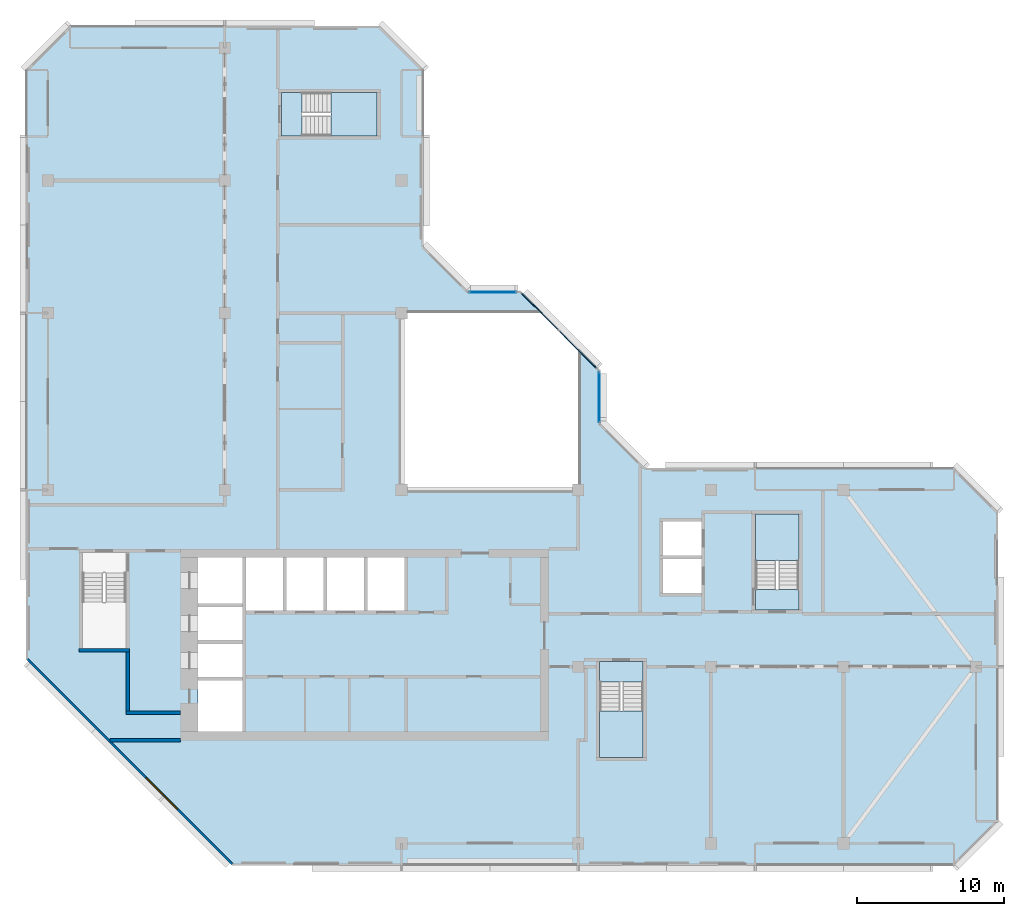
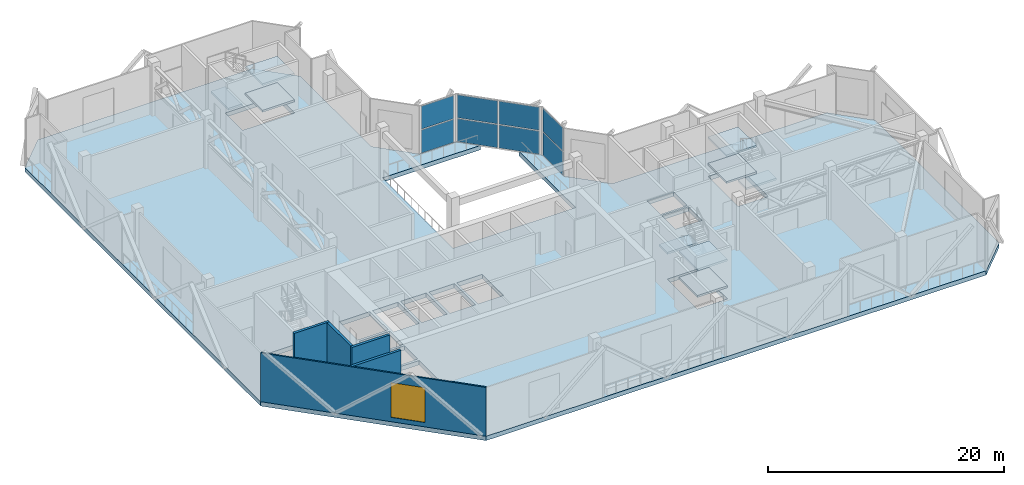
# One storey, part 4 of 13: 10 slabs, 8 plates, 5 walls, 1 window, 1 opening, 6 elements without a shape of their own.
"""IFC4 building model written with IfcOpenShell, lengths in metres."""

from ifc_helpers import new_model, si_unit, direction, frame, frame_2d, origin, origin_2d, place, context, subcontext, project, spatial, polyline, rectangle, outline, extrude, material, layer, layer_set, type_object, element, fill, aggregate, save


model = new_model("IFC4")

# Units and contexts
model_context = context("Model", 3, precision=1e-05, world=origin(), true_north=direction((0.0, 1.0)))
body_context = subcontext(model_context, "Body", "Model", "MODEL_VIEW")
ifc_project = project(units=[si_unit("LENGTHUNIT", "METRE"), si_unit("AREAUNIT", "SQUARE_METRE"), si_unit("VOLUMEUNIT", "CUBIC_METRE"), si_unit("PLANEANGLEUNIT", "RADIAN"), si_unit("MASSUNIT", "GRAM", prefix="KILO")], contexts=[model_context])

# Site, building, storey
site_placement = place(None, origin())
site = spatial("IfcSite", under=ifc_project, at=site_placement, CompositionType="ELEMENT")
building_placement = place(site_placement, origin())
building = spatial("IfcBuilding", under=site, at=building_placement, Name="Chenar Terraces", CompositionType="ELEMENT")
storey_placement = place(building_placement, frame((0.0, 0.0, 322.14990234375)))
storey = spatial("IfcBuildingStorey", under=building, at=storey_placement, Name="L76", CompositionType="ELEMENT", Elevation=322.14990234375)

# Curtain wall, plates
ifc_material_1 = material(Name="Aluminium framed glazing", Category="aluminium")
ifc_layer_1 = layer(ifc_material_1, 0.14990234375)
ifc_layer_set_1 = layer_set([ifc_layer_1], Name="Aluminium framed glazing")
curtain_wall_type = type_object("IfcCurtainWallType", Name="Atrium upper-zone curtain wall", PredefinedType="NOTDEFINED", material=ifc_layer_set_1)
placement_1 = place(storey_placement, origin())
curtain_wall_1 = element("IfcCurtainWall", 1, at=placement_1, inside=storey, type_object=curtain_wall_type, Name="Atrium upper-zone curtain wall", PredefinedType="NOTDEFINED")
ifc_material_2 = material(Name="Low emissivity laminated glass, solar control coating", Category="glass")
ifc_layer_2 = layer(ifc_material_2, 0.050048828125)
ifc_layer_set_2 = layer_set([ifc_layer_2], Name="Low emissivity laminated glass, solar control coating")
plate_type = type_object("IfcPlateType", Name="Atrium upper-zone glazing panel 50", PredefinedType="CURTAIN_PANEL", material=ifc_layer_set_2)
plate_1_placement = place(storey_placement, frame((37.425048828125, 30.300048828125, 0.10009765625), z_axis=(0.0, 0.0, 1.0), x_axis=(0.0, 1.0, 0.0)))
plate_1 = element("IfcPlate", 2, at=plate_1_placement, type_object=plate_type, Name="CW8-1 panel 1.1", PredefinedType="CURTAIN_PANEL", context=body_context, shape_type="SweptSolid", body=[
    extrude(rectangle(XDim=3.39990234375, YDim=0.050048828125, at=origin_2d()), origin(), (0.0, 0.0, 1.0), 2.375),
])
plate_2_placement = place(storey_placement, frame((37.425048828125, 30.300048828125, 2.5751953125), z_axis=(0.0, 0.0, 1.0), x_axis=(0.0, 1.0, 0.0)))
plate_2 = element("IfcPlate", 3, at=plate_2_placement, type_object=plate_type, Name="CW8-1 panel 1.2", PredefinedType="CURTAIN_PANEL", context=body_context, shape_type="SweptSolid", body=[
    extrude(rectangle(XDim=3.39990234375, YDim=0.050048828125, at=origin_2d()), origin(), (0.0, 0.0, 1.0), 2.375),
])
aggregate(curtain_wall_1, [plate_1, plate_2])

curtain_wall_2 = element("IfcCurtainWall", 4, at=placement_1, inside=storey, type_object=curtain_wall_type, Name="Atrium upper-zone curtain wall", PredefinedType="NOTDEFINED")
plate_3_placement = place(storey_placement, frame((35.97314453125, 33.520751953125, 0.10009765625), z_axis=(0.0, 0.0, 1.0), x_axis=(-0.707106781187, 0.707106781187, 0.0)))
plate_3 = element("IfcPlate", 5, at=plate_3_placement, type_object=plate_type, Name="CW8-2 panel 1.1", PredefinedType="CURTAIN_PANEL", context=body_context, shape_type="SweptSolid", body=[
    extrude(rectangle(XDim=3.568359375, YDim=0.050048828125, at=origin_2d()), origin(), (0.0, 0.0, 1.0), 2.375),
])
plate_4_placement = place(storey_placement, frame((35.97314453125, 33.520751953125, 2.5751953125), z_axis=(0.0, 0.0, 1.0), x_axis=(-0.707106781187, 0.707106781187, 0.0)))
plate_4 = element("IfcPlate", 6, at=plate_4_placement, type_object=plate_type, Name="CW8-2 panel 1.2", PredefinedType="CURTAIN_PANEL", context=body_context, shape_type="SweptSolid", body=[
    extrude(rectangle(XDim=3.568359375, YDim=0.050048828125, at=origin_2d()), origin(), (0.0, 0.0, 1.0), 2.375),
])
plate_5_placement = place(storey_placement, frame((33.379150390625, 36.11474609375, 0.10009765625), z_axis=(0.0, 0.0, 1.0), x_axis=(-0.707106781187, 0.707106781187, 0.0)))
plate_5 = element("IfcPlate", 7, at=plate_5_placement, type_object=plate_type, Name="CW8-2 panel 2.1", PredefinedType="CURTAIN_PANEL", context=body_context, shape_type="SweptSolid", body=[
    extrude(rectangle(XDim=3.568359375, YDim=0.050048828125, at=origin_2d()), origin(), (0.0, 0.0, 1.0), 2.375),
])
plate_6_placement = place(storey_placement, frame((33.379150390625, 36.11474609375, 2.5751953125), z_axis=(0.0, 0.0, 1.0), x_axis=(-0.707106781187, 0.707106781187, 0.0)))
plate_6 = element("IfcPlate", 8, at=plate_6_placement, type_object=plate_type, Name="CW8-2 panel 2.2", PredefinedType="CURTAIN_PANEL", context=body_context, shape_type="SweptSolid", body=[
    extrude(rectangle(XDim=3.568359375, YDim=0.050048828125, at=origin_2d()), origin(), (0.0, 0.0, 1.0), 2.375),
])
aggregate(curtain_wall_2, [plate_3, plate_4, plate_5, plate_6])

curtain_wall_3 = element("IfcCurtainWall", 9, at=placement_1, inside=storey, type_object=curtain_wall_type, Name="Atrium upper-zone curtain wall", PredefinedType="NOTDEFINED")
plate_7_placement = place(storey_placement, frame((30.199951171875, 37.425048828125, 0.10009765625), z_axis=(0.0, 0.0, 1.0), x_axis=(-1.0, 0.0, 0.0)))
plate_7 = element("IfcPlate", 10, at=plate_7_placement, type_object=plate_type, Name="CW8-3 panel 1.1", PredefinedType="CURTAIN_PANEL", context=body_context, shape_type="SweptSolid", body=[
    extrude(rectangle(XDim=3.199951171875, YDim=0.050048828125, at=origin_2d()), origin(), (0.0, 0.0, 1.0), 2.375),
])
plate_8_placement = place(storey_placement, frame((30.199951171875, 37.425048828125, 2.5751953125), z_axis=(0.0, 0.0, 1.0), x_axis=(-1.0, 0.0, 0.0)))
plate_8 = element("IfcPlate", 11, at=plate_8_placement, type_object=plate_type, Name="CW8-3 panel 1.2", PredefinedType="CURTAIN_PANEL", context=body_context, shape_type="SweptSolid", body=[
    extrude(rectangle(XDim=3.199951171875, YDim=0.050048828125, at=origin_2d()), origin(), (0.0, 0.0, 1.0), 2.375),
])
aggregate(curtain_wall_3, [plate_7, plate_8])

# Stair, slabs
ifc_material_3 = material(Name="Reinforced concrete C40/50", Category="concrete")
stair_type = type_object("IfcStairType", Name="Core stair 1400 half-turn", PredefinedType="HALF_TURN_STAIR", material=ifc_material_3)
stair_1 = element("IfcStair", 12, at=placement_1, inside=storey, type_object=stair_type, Name="L76 Stair 2", PredefinedType="HALF_TURN_STAIR")
ifc_material_4 = material(Name="Reinforced concrete C40/50", Category="concrete")
ifc_layer_3 = layer(ifc_material_4, 0.199951171875)
ifc_layer_set_3 = layer_set([ifc_layer_3], Name="Reinforced concrete C40/50")
slab_type_1 = type_object("IfcSlabType", Name="Core stair landing 200", PredefinedType="LANDING", material=ifc_layer_set_3)
placement_2 = place(storey_placement, frame((0.0, 0.0, 1.175048828125)))
slab_1 = element("IfcSlab", 13, at=placement_2, type_object=slab_type_1, Name="ST2 landing 1", PredefinedType="LANDING", context=body_context, shape_type="SweptSolid", body=[
    extrude(outline(polyline([(37.449951171875, 8.989990234375), (37.449951171875, 5.85009765625), (40.39990234375, 5.85009765625), (40.39990234375, 8.989990234375), (37.449951171875, 8.989990234375)])), origin(), (0.0, 0.0, 1.0), 0.199951171875),
])
placement_3 = place(storey_placement, frame((0.0, 0.0, 2.550048828125)))
slab_2 = element("IfcSlab", 14, at=placement_3, type_object=slab_type_1, Name="ST2 landing 2", PredefinedType="LANDING", context=body_context, shape_type="SweptSolid", body=[
    extrude(outline(polyline([(37.449951171875, 12.35009765625), (37.449951171875, 10.949951171875), (40.39990234375, 10.949951171875), (40.39990234375, 12.35009765625), (37.449951171875, 12.35009765625)])), origin(), (0.0, 0.0, 1.0), 0.199951171875),
])
placement_4 = place(storey_placement, frame((0.0, 0.0, 3.925048828125)))
slab_3 = element("IfcSlab", 15, at=placement_4, type_object=slab_type_1, Name="ST2 landing 3", PredefinedType="LANDING", context=body_context, shape_type="SweptSolid", body=[
    extrude(outline(polyline([(37.449951171875, 8.989990234375), (37.449951171875, 5.85009765625), (40.39990234375, 5.85009765625), (40.39990234375, 8.989990234375), (37.449951171875, 8.989990234375)])), origin(), (0.0, 0.0, 1.0), 0.199951171875),
])
aggregate(stair_1, [slab_1, slab_2, slab_3])

stair_2 = element("IfcStair", 16, at=placement_1, inside=storey, type_object=stair_type, Name="L76 Stair 3", PredefinedType="HALF_TURN_STAIR")
slab_4 = element("IfcSlab", 17, at=placement_2, type_object=slab_type_1, Name="ST3 landing 1", PredefinedType="LANDING", context=body_context, shape_type="SweptSolid", body=[
    extrude(outline(polyline([(50.97509765625, 19.2099609375), (50.97509765625, 22.35009765625), (48.02490234375, 22.35009765625), (48.02490234375, 19.2099609375), (50.97509765625, 19.2099609375)])), origin(), (0.0, 0.0, 1.0), 0.199951171875),
])
slab_5 = element("IfcSlab", 18, at=placement_3, type_object=slab_type_1, Name="ST3 landing 2", PredefinedType="LANDING", context=body_context, shape_type="SweptSolid", body=[
    extrude(outline(polyline([(50.97509765625, 15.85009765625), (50.97509765625, 17.25), (48.02490234375, 17.25), (48.02490234375, 15.85009765625), (50.97509765625, 15.85009765625)])), origin(), (0.0, 0.0, 1.0), 0.199951171875),
])
slab_6 = element("IfcSlab", 19, at=placement_4, type_object=slab_type_1, Name="ST3 landing 3", PredefinedType="LANDING", context=body_context, shape_type="SweptSolid", body=[
    extrude(outline(polyline([(50.97509765625, 19.2099609375), (50.97509765625, 22.35009765625), (48.02490234375, 22.35009765625), (48.02490234375, 19.2099609375), (50.97509765625, 19.2099609375)])), origin(), (0.0, 0.0, 1.0), 0.199951171875),
])
aggregate(stair_2, [slab_4, slab_5, slab_6])

stair_3 = element("IfcStair", 20, at=placement_1, inside=storey, type_object=stair_type, Name="L76 Stair 4", PredefinedType="HALF_TURN_STAIR")
slab_7 = element("IfcSlab", 21, at=placement_2, type_object=slab_type_1, Name="ST4 landing 1", PredefinedType="LANDING", context=body_context, shape_type="SweptSolid", body=[
    extrude(outline(polyline([(19.2099609375, 48.02490234375), (22.35009765625, 48.02490234375), (22.35009765625, 50.97509765625), (19.2099609375, 50.97509765625), (19.2099609375, 48.02490234375)])), origin(), (0.0, 0.0, 1.0), 0.199951171875),
])
slab_8 = element("IfcSlab", 22, at=placement_3, type_object=slab_type_1, Name="ST4 landing 2", PredefinedType="LANDING", context=body_context, shape_type="SweptSolid", body=[
    extrude(outline(polyline([(15.85009765625, 48.02490234375), (17.25, 48.02490234375), (17.25, 50.97509765625), (15.85009765625, 50.97509765625), (15.85009765625, 48.02490234375)])), origin(), (0.0, 0.0, 1.0), 0.199951171875),
])
slab_9 = element("IfcSlab", 23, at=placement_4, type_object=slab_type_1, Name="ST4 landing 3", PredefinedType="LANDING", context=body_context, shape_type="SweptSolid", body=[
    extrude(outline(polyline([(19.2099609375, 48.02490234375), (22.35009765625, 48.02490234375), (22.35009765625, 50.97509765625), (19.2099609375, 50.97509765625), (19.2099609375, 48.02490234375)])), origin(), (0.0, 0.0, 1.0), 0.199951171875),
])
aggregate(stair_3, [slab_7, slab_8, slab_9])

# Slab
ifc_material_5 = material(Name="Concrete C40/50", Category="concrete")
ifc_layer_4 = layer(ifc_material_5, 0.449951171875)
ifc_layer_set_4 = layer_set([ifc_layer_4], Name="Concrete C40/50")
slab_type_2 = type_object("IfcSlabType", Name="Floor slab 450 Concrete C40/50", PredefinedType="FLOOR", material=ifc_layer_set_4)
slab_10_placement = place(storey_placement, frame((0.0, 0.0, -0.449951171875)))
element("IfcSlab", 24, at=slab_10_placement, inside=storey, type_object=slab_type_2, Name="Floor slab L76", PredefinedType="FLOOR", context=body_context, shape_type="SweptSolid", body=[
    extrude(outline(polyline([(64.5, 22.5), (64.5, 1.5), (61.5, -1.5), (12.5, -1.5), (-1.5, 12.5), (-1.5, 52.5), (1.5, 55.5), (22.5, 55.5), (25.5, 52.5), (25.5, 40.5), (28.5, 37.5), (32.10009765625, 37.5), (33.60009765625, 36.0), (24.0, 36.0), (24.0, 24.0), (36.0, 24.0), (36.0, 33.60009765625), (37.5, 32.10009765625), (37.5, 28.5), (40.5, 25.5), (61.5, 25.5), (64.5, 22.5)]), holes=[polyline([(10.199951171875, 11.050048828125), (10.199951171875, 7.60009765625), (13.199951171875, 7.60009765625), (13.199951171875, 11.050048828125), (10.199951171875, 11.050048828125)]), polyline([(13.199951171875, 13.550048828125), (10.199951171875, 13.550048828125), (10.199951171875, 11.300048828125), (13.199951171875, 11.300048828125), (13.199951171875, 13.550048828125)]), polyline([(13.199951171875, 16.050048828125), (10.199951171875, 16.050048828125), (10.199951171875, 13.800048828125), (13.199951171875, 13.800048828125), (13.199951171875, 16.050048828125)]), polyline([(2.35009765625, 13.25), (5.300048828125, 13.25), (5.300048828125, 18.35009765625), (2.35009765625, 18.35009765625), (2.35009765625, 13.25)]), polyline([(15.949951171875, 19.39990234375), (13.449951171875, 19.39990234375), (13.449951171875, 15.800048828125), (15.949951171875, 15.800048828125), (15.949951171875, 19.39990234375)]), polyline([(18.699951171875, 19.39990234375), (16.199951171875, 19.39990234375), (16.199951171875, 15.800048828125), (18.699951171875, 15.800048828125), (18.699951171875, 19.39990234375)]), polyline([(13.199951171875, 19.39990234375), (10.199951171875, 19.39990234375), (10.199951171875, 16.300048828125), (13.199951171875, 16.300048828125), (13.199951171875, 19.39990234375)]), polyline([(22.35009765625, 48.02490234375), (22.35009765625, 50.97509765625), (17.25, 50.97509765625), (17.25, 48.02490234375), (22.35009765625, 48.02490234375)]), polyline([(37.449951171875, 5.85009765625), (40.39990234375, 5.85009765625), (40.39990234375, 10.949951171875), (37.449951171875, 10.949951171875), (37.449951171875, 5.85009765625)]), polyline([(21.449951171875, 19.39990234375), (18.949951171875, 19.39990234375), (18.949951171875, 15.800048828125), (21.449951171875, 15.800048828125), (21.449951171875, 19.39990234375)]), polyline([(24.199951171875, 19.39990234375), (21.699951171875, 19.39990234375), (21.699951171875, 15.800048828125), (24.199951171875, 15.800048828125), (24.199951171875, 19.39990234375)]), polyline([(44.35009765625, 19.300048828125), (41.75, 19.300048828125), (41.75, 17.0), (44.35009765625, 17.0), (44.35009765625, 19.300048828125)]), polyline([(50.97509765625, 22.35009765625), (48.02490234375, 22.35009765625), (48.02490234375, 17.25), (50.97509765625, 17.25), (50.97509765625, 22.35009765625)]), polyline([(44.35009765625, 21.85009765625), (41.75, 21.85009765625), (41.75, 19.550048828125), (44.35009765625, 19.550048828125), (44.35009765625, 21.85009765625)])]), origin(), (0.0, 0.0, 1.0), 0.449951171875),
])

# Walls
ifc_material_6 = material(Name="Concrete C50/60", Category="concrete")
ifc_layer_5 = layer(ifc_material_6, 0.25)
ifc_layer_set_5 = layer_set([ifc_layer_5], Name="Concrete C50/60")
wall_type_1 = type_object("IfcWallType", Name="Core wall 250 Concrete C50/60", PredefinedType="SHEAR", material=ifc_layer_set_5)
wall_1_placement = place(storey_placement, frame((2.10009765625, 13.125, 0.0), z_axis=(0.0, 0.0, 1.0), x_axis=(1.0, 0.0, 0.0)))
element("IfcWall", 25, at=wall_1_placement, inside=storey, type_object=wall_type_1, Name="Core wall ST1_S L76", PredefinedType="SHEAR", context=body_context, shape_type="SweptSolid", body=[
    extrude(rectangle(XDim=3.449951171875, YDim=0.25, at=frame_2d((1.72509765625, 0.0))), origin(), (0.0, 0.0, 1.0), 5.5),
])
wall_2_placement = place(storey_placement, frame((5.300048828125, 8.875, 0.0), z_axis=(0.0, 0.0, 1.0), x_axis=(1.0, 0.0, 0.0)))
element("IfcWall", 26, at=wall_2_placement, inside=storey, type_object=wall_type_1, Name="Core wall FFL_S L76", PredefinedType="SHEAR", context=body_context, shape_type="SweptSolid", body=[
    extrude(rectangle(XDim=3.699951171875, YDim=0.25, at=frame_2d((1.85009765625, 0.0))), origin(), (0.0, 0.0, 1.0), 5.5),
])
wall_3_placement = place(storey_placement, frame((5.425048828125, 9.0, 0.0), z_axis=(0.0, 0.0, 1.0), x_axis=(0.0, 1.0, 0.0)))
element("IfcWall", 27, at=wall_3_placement, inside=storey, type_object=wall_type_1, Name="Core wall FFL_W L76", PredefinedType="SHEAR", context=body_context, shape_type="SweptSolid", body=[
    extrude(rectangle(XDim=4.0, YDim=0.25, at=frame_2d((2.0, 0.0))), origin(), (0.0, 0.0, 1.0), 5.5),
])
ifc_material_7 = material(Name="Fire-board and steel stud wall with mineral wool", Category="steel")
ifc_layer_6 = layer(ifc_material_7, 0.25)
ifc_layer_set_6 = layer_set([ifc_layer_6], Name="Fire-board and steel stud wall with mineral wool")
wall_type_2 = type_object("IfcWallType", Name="Refuge compartment wall 250", PredefinedType="PARTITIONING", material=ifc_layer_set_6)
wall_4_placement = place(storey_placement, frame((4.2109375, 7.0, 0.0), z_axis=(0.0, 0.0, 1.0), x_axis=(1.0, 0.0, 0.0)))
element("IfcWall", 28, at=wall_4_placement, inside=storey, type_object=wall_type_2, Name="Partition L76-004", PredefinedType="PARTITIONING", context=body_context, shape_type="SweptSolid", body=[
    extrude(rectangle(XDim=4.7890625, YDim=0.25, at=frame_2d((2.39453125, 0.0))), origin(), (0.0, 0.0, 1.0), 5.050048828125),
])

# Wall, opening, window
ifc_material_8 = material(Name="Terracotta cladding on insulated backing", Category="masonry")
ifc_layer_7 = layer(ifc_material_8, 0.14990234375)
ifc_layer_set_7 = layer_set([ifc_layer_7], Name="Terracotta cladding on insulated backing")
wall_type_3 = type_object("IfcWallType", Name="Terracotta rainscreen wall 150", PredefinedType="SOLIDWALL", material=ifc_layer_set_7)
wall_5_placement = place(storey_placement, frame((-1.447021484375, 12.552978515625, 0.0), z_axis=(0.0, 0.0, 1.0), x_axis=(0.707106781187, -0.707106781187, 0.0)))
wall_5 = element("IfcWall", 29, at=wall_5_placement, inside=storey, type_object=wall_type_3, Name="Terracotta rainscreen wall", PredefinedType="SOLIDWALL", context=body_context, shape_type="SweptSolid", body=[
    extrude(rectangle(XDim=19.799072265625, YDim=0.14990234375, at=frame_2d((9.8994140625, 0.0))), origin(), (0.0, 0.0, 1.0), 5.050048828125),
])
opening_placement = place(wall_5_placement, frame((11.452880859375, 0.0, 0.449951171875)))
opening = element("IfcOpeningElement", 30, at=opening_placement, cuts=wall_5, Name="Opening W300x360", PredefinedType="OPENING", context=body_context, shape_type="SweptSolid", body=[
    extrude(rectangle(XDim=3.0, YDim=3.60009765625, at=frame_2d((1.5, 1.800048828125))), frame((0.0, 0.0849609375, 0.0), z_axis=(0.0, -1.0, 0.0), x_axis=(1.0, 0.0, 0.0)), (0.0, 0.0, 1.0), 0.169921875),
])
ifc_material_9 = material(Name="Low emissivity double glazing, aluminium frame", Category="aluminium")
window_type = type_object("IfcWindowType", Name="Fixed light 3000 x 3600", PartitioningType="SINGLE_PANEL", PredefinedType="WINDOW", material=ifc_material_9)
window_placement = place(opening_placement, origin())
window = element("IfcWindow", 31, at=window_placement, inside=storey, type_object=window_type, Name="Window", OverallHeight=3.60009765625, OverallWidth=3.0, PartitioningType="SINGLE_PANEL", PredefinedType="WINDOW", context=body_context, shape_type="SweptSolid", body=[
    extrude(rectangle(XDim=3.0, YDim=3.60009765625, at=frame_2d((1.5, 1.800048828125))), frame((0.0, 0.030029296875, 0.0), z_axis=(0.0, -1.0, 0.0), x_axis=(1.0, 0.0, 0.0)), (0.0, 0.0, 1.0), 0.06005859375),
])
fill(opening, window)

save(model, "model.ifc")
